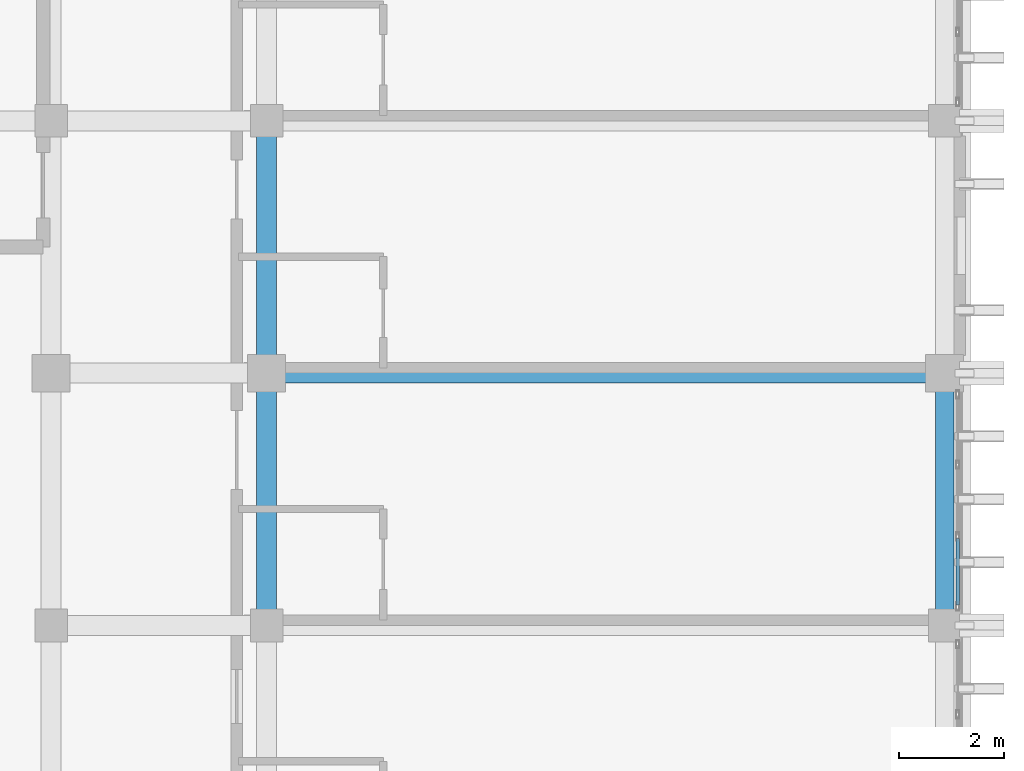
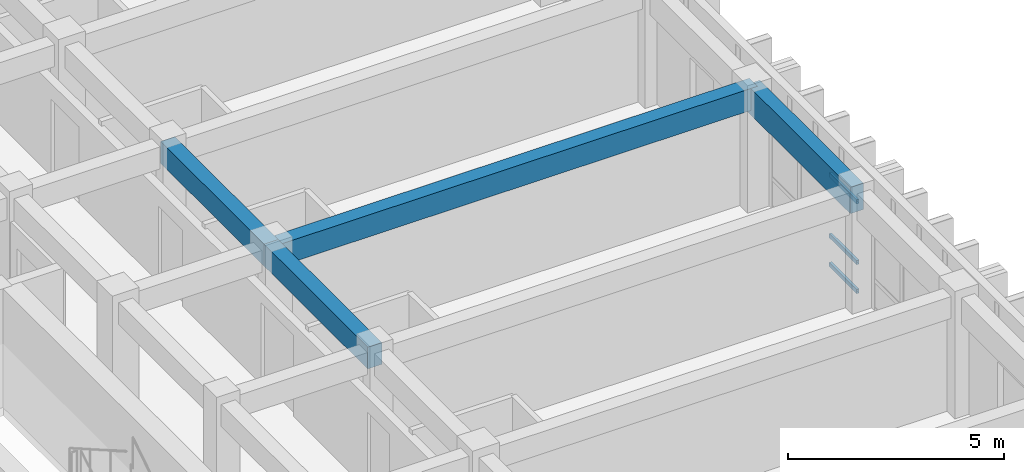
# One storey, part 23 of 59: 4 beams, 3 members, 1 element without a shape of its own.
"""IFC4 building model written with IfcOpenShell, lengths in metres."""

from ifc_helpers import new_model, si_unit, direction, frame, origin, origin_2d, place, context, subcontext, project, spatial, rectangle, hollow_rectangle, extrude, material, layer, layer_set, material_profile, profile_set, type_object, element, aggregate, save


model = new_model("IFC4")

# Units and contexts
model_context = context("Model", 3, precision=1e-05, world=origin(), true_north=direction((0.0, 1.0)))
body_context = subcontext(model_context, "Body", "Model", "MODEL_VIEW")
ifc_project = project(units=[si_unit("LENGTHUNIT", "METRE"), si_unit("AREAUNIT", "SQUARE_METRE"), si_unit("VOLUMEUNIT", "CUBIC_METRE"), si_unit("PLANEANGLEUNIT", "RADIAN"), si_unit("MASSUNIT", "GRAM", prefix="KILO")], contexts=[model_context])

# Site, building, storey
site_placement = place(None, origin())
site = spatial("IfcSite", under=ifc_project, at=site_placement, CompositionType="ELEMENT")
building_placement = place(site_placement, origin())
building = spatial("IfcBuilding", under=site, at=building_placement, Name="Nakhvara Creek Congress Hotel", CompositionType="ELEMENT")
storey_placement = place(building_placement, frame((0.0, 0.0, 31.800048828125)))
storey = spatial("IfcBuildingStorey", under=building, at=storey_placement, Name="L07", CompositionType="ELEMENT", Elevation=31.800048828125)

# Beams
ifc_material_1 = material(Name="Concrete C40/50", Category="concrete")
ifc_material_profile_1 = material_profile(ifc_material_1, rectangle(XDim=0.3798828125, YDim=0.6201171875, at=origin_2d()), Name="RC-BM 380x620", Category="LoadBearing")
ifc_profile_set_1 = profile_set([ifc_material_profile_1], Name="Concrete C40/50")
beam_type_1 = type_object("IfcBeamType", Name="BM-RC-380X620", PredefinedType="BEAM", material=ifc_profile_set_1)
beam_1_placement = place(storey_placement, frame((166.449951171875, 86.39990234375, 3.050048828125), z_axis=(1.0, 0.0, 0.0), x_axis=(0.0, 1.0, 0.0)))
element("IfcBeam", 1, at=beam_1_placement, inside=storey, type_object=beam_type_1, Name="Beam B10-L07-2377", PredefinedType="BEAM", context=body_context, shape_type="SweptSolid", body=[
    extrude(rectangle(XDim=0.3798828125, YDim=0.6201171875, at=origin_2d()), origin(), (0.0, 0.0, 1.0), 12.900146484375),
])
beam_2_placement = place(storey_placement, frame((166.449951171875, 81.60009765625, 3.050048828125), z_axis=(0.0, 1.0, 0.0), x_axis=(-1.0, 0.0, 0.0)))
element("IfcBeam", 2, at=beam_2_placement, inside=storey, type_object=beam_type_1, Name="Beam B10-L07-2378", PredefinedType="BEAM", context=body_context, shape_type="SweptSolid", body=[
    extrude(rectangle(XDim=0.3798828125, YDim=0.6201171875, at=origin_2d()), origin(), (0.0, 0.0, 1.0), 4.7998046875),
])
beam_3_placement = place(storey_placement, frame((166.449951171875, 86.39990234375, 3.050048828125), z_axis=(0.0, 1.0, 0.0), x_axis=(-1.0, 0.0, 0.0)))
element("IfcBeam", 3, at=beam_3_placement, inside=storey, type_object=beam_type_1, Name="Beam B10-L07-2379", PredefinedType="BEAM", context=body_context, shape_type="SweptSolid", body=[
    extrude(rectangle(XDim=0.3798828125, YDim=0.6201171875, at=origin_2d()), origin(), (0.0, 0.0, 1.0), 4.800048828125),
])
ifc_material_profile_2 = material_profile(ifc_material_1, rectangle(XDim=0.35009765625, YDim=0.75, at=origin_2d()), Name="RC-SPANDREL 350x750", Category="LoadBearing")
ifc_profile_set_2 = profile_set([ifc_material_profile_2], Name="Concrete C40/50")
beam_type_2 = type_object("IfcBeamType", Name="BM-SPN-350X750", PredefinedType="SPANDREL", material=ifc_profile_set_2)
beam_4_placement = place(storey_placement, frame((179.35009765625, 81.60009765625, 2.98486328125), z_axis=(0.0, 1.0, 0.0), x_axis=(-1.0, 0.0, 0.0)))
element("IfcBeam", 4, at=beam_4_placement, inside=storey, type_object=beam_type_2, Name="Beam SP1-L07-2398", PredefinedType="SPANDREL", context=body_context, shape_type="SweptSolid", body=[
    extrude(rectangle(XDim=0.35009765625, YDim=0.75, at=origin_2d()), origin(), (0.0, 0.0, 1.0), 4.7998046875),
])

# Curtain wall, members
ifc_material_2 = material(Name="Bronze-anodised aluminium AW-6063-T6 and double-silver low-E glass", Category="aluminium")
ifc_layer = layer(ifc_material_2, 0.199951171875)
ifc_layer_set = layer_set([ifc_layer], Name="Bronze-anodised aluminium AW-6063-T6 and double-silver low-E glass")
curtain_wall_type = type_object("IfcCurtainWallType", Name="CW-HTL-UNIT", PredefinedType="USERDEFINED", material=ifc_layer_set)
curtain_wall_placement = place(storey_placement, origin())
curtain_wall = element("IfcCurtainWall", 5, at=curtain_wall_placement, inside=storey, type_object=curtain_wall_type, Name="Curtain Wall CW263", ObjectType="UNITISED", PredefinedType="USERDEFINED")
ifc_material_3 = material(Name="Bronze-anodised aluminium AW-6063-T6", Category="aluminium")
ifc_material_profile_3 = material_profile(ifc_material_3, hollow_rectangle(XDim=0.06494140625, YDim=0.1201171875, WallThickness=0.00390625, at=origin_2d()), Name="ALU-TRAN 65x120x4", Category="LoadBearing")
ifc_profile_set_3 = profile_set([ifc_material_profile_3], Name="Bronze-anodised aluminium AW-6063-T6")
member_type = type_object("IfcMemberType", Name="CW-TRAN-120", PredefinedType="USERDEFINED", material=ifc_profile_set_3)
member_1_placement = place(storey_placement, frame((179.60009765625, 83.25927734375, 0.032470703125), z_axis=(0.0, -1.0, 0.0), x_axis=(1.0, 0.0, 0.0)))
member_1 = element("IfcMember", 6, at=member_1_placement, type_object=member_type, Name="CW263 transom 3.1", ObjectType="TRANSOM", PredefinedType="USERDEFINED", context=body_context, shape_type="SweptSolid", body=[
    extrude(hollow_rectangle(XDim=0.06494140625, YDim=0.1201171875, WallThickness=0.00390625, at=origin_2d()), origin(), (0.0, 0.0, 1.0), 1.269287109375),
])
member_2_placement = place(storey_placement, frame((179.60009765625, 83.25927734375, 0.849853515625), z_axis=(0.0, -1.0, 0.0), x_axis=(1.0, 0.0, 0.0)))
member_2 = element("IfcMember", 7, at=member_2_placement, type_object=member_type, Name="CW263 transom 3.2", ObjectType="TRANSOM", PredefinedType="USERDEFINED", context=body_context, shape_type="SweptSolid", body=[
    extrude(hollow_rectangle(XDim=0.06494140625, YDim=0.1201171875, WallThickness=0.00390625, at=origin_2d()), origin(), (0.0, 0.0, 1.0), 1.269287109375),
])
member_3_placement = place(storey_placement, frame((179.60009765625, 83.25927734375, 2.5693359375), z_axis=(0.0, -1.0, 0.0), x_axis=(1.0, 0.0, 0.0)))
member_3 = element("IfcMember", 8, at=member_3_placement, type_object=member_type, Name="CW263 transom 3.3", ObjectType="TRANSOM", PredefinedType="USERDEFINED", context=body_context, shape_type="SweptSolid", body=[
    extrude(hollow_rectangle(XDim=0.06494140625, YDim=0.1201171875, WallThickness=0.00390625, at=origin_2d()), origin(), (0.0, 0.0, 1.0), 1.269287109375),
])
aggregate(curtain_wall, [member_1, member_2, member_3])

save(model, "model.ifc")
